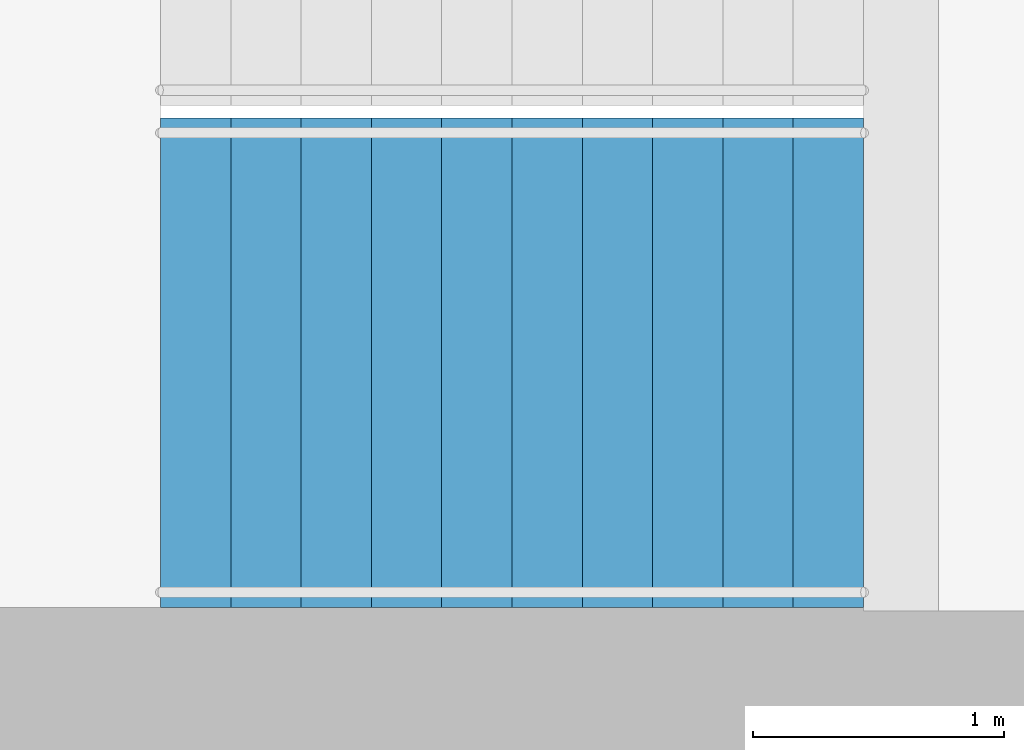
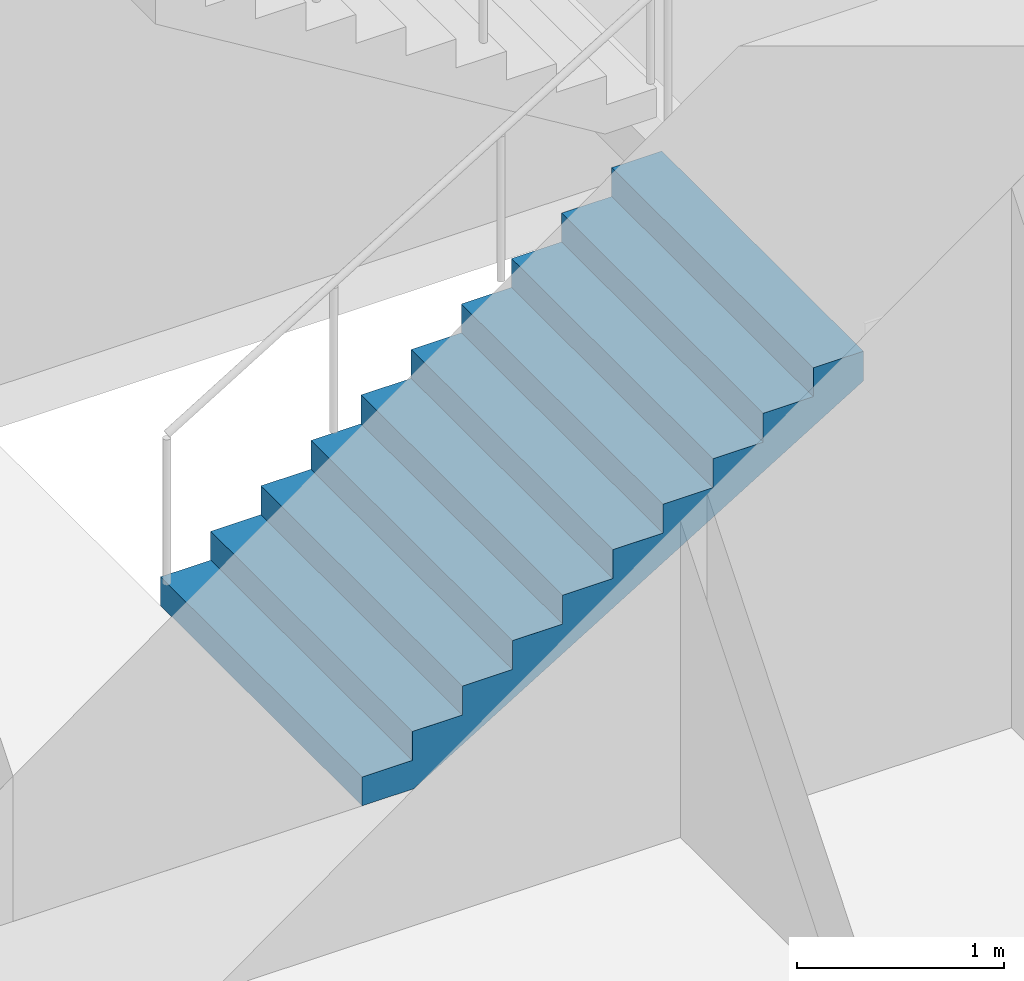
# One storey, part 20 of 24: 1 stair flight, 1 element without a shape of its own.
"""IFC4 building model written with IfcOpenShell, lengths in metres."""

from ifc_helpers import new_model, si_unit, direction, frame, origin, place, context, subcontext, project, spatial, triangles, material, type_object, element, aggregate, save


model = new_model("IFC4")

# Units and contexts
model_context = context("Model", 3, precision=1e-05, world=origin(), true_north=direction((0.0, 1.0)))
body_context = subcontext(model_context, "Body", "Model", "MODEL_VIEW")
ifc_project = project(units=[si_unit("LENGTHUNIT", "METRE"), si_unit("AREAUNIT", "SQUARE_METRE"), si_unit("VOLUMEUNIT", "CUBIC_METRE"), si_unit("PLANEANGLEUNIT", "RADIAN"), si_unit("MASSUNIT", "GRAM", prefix="KILO")], contexts=[model_context])

# Site, building, storey
site_placement = place(None, origin())
site = spatial("IfcSite", under=ifc_project, at=site_placement, CompositionType="ELEMENT")
building_placement = place(site_placement, origin())
building = spatial("IfcBuilding", under=site, at=building_placement, Name="Orbita Commons", CompositionType="ELEMENT")
storey_placement = place(building_placement, frame((0.0, 0.0, 20.199951171875)))
storey = spatial("IfcBuildingStorey", under=building, at=storey_placement, Name="L04", CompositionType="ELEMENT", Elevation=20.199951171875)

# Stair, stair flight
ifc_material_1 = material(Name="Precast concrete C40/50", Category="concrete")
stair_type = type_object("IfcStairType", Name="Exit stair S1 2 flights 11 risers 170", PredefinedType="HALF_TURN_STAIR", material=ifc_material_1)
stair_placement = place(storey_placement, origin())
stair = element("IfcStair", 1, at=stair_placement, inside=storey, type_object=stair_type, Name="Exit stair S1 L04", PredefinedType="HALF_TURN_STAIR")
ifc_material_2 = material(Name="Precast concrete C40/50", Category="concrete")
stair_flight_type = type_object("IfcStairFlightType", Name="Stair flight 11 risers 170 x 280", PredefinedType="STRAIGHT", material=ifc_material_2)
stair_flight_placement = place(storey_placement, frame((20.449951171875, 27.27490234375, 0.0), z_axis=(0.0, 0.0, 1.0), x_axis=(1.0, 0.0, 0.0)))
stair_flight = element("IfcStairFlight", 2, at=stair_flight_placement, type_object=stair_flight_type, Name="S1 flight 1", NumberOfRisers=11, NumberOfTreads=10, PredefinedType="STRAIGHT", RiserHeight=0.170454545, TreadLength=0.28, context=body_context, shape_type="Tessellation", body=[
    triangles([(0.0, 0.974976, 0.0), (0.0, 0.974976, 0.021307), (0.0, 0.81248, 0.021307), (0.0, 0.81248, 0.0), (0.0, 0.649984, 0.021307), (0.0, 0.649984, 0.0), (0.0, 0.487488, 0.021307), (0.0, 0.487488, 0.0), (0.0, 0.324992, 0.021307), (0.0, 0.324992, 0.0), (0.0, 0.162496, 0.021307), (0.0, 0.162496, 0.0), (0.0, 0.0, 0.021307), (0.0, 0.0, 0.0), (0.0, -0.162496, 0.021307), (0.0, -0.162496, 0.0), (0.0, -0.324992, 0.021307), (0.0, -0.324992, 0.0), (0.0, -0.487488, 0.021307), (0.0, -0.487488, 0.0), (0.0, -0.649984, 0.021307), (0.0, -0.649984, 0.0), (0.0, -0.81248, 0.021307), (0.0, -0.81248, 0.0), (0.0, -0.974976, 0.021307), (0.0, -0.974976, 0.0), (0.0, 0.974976, 0.042614), (0.0, 0.81248, 0.042614), (0.0, 0.649984, 0.042614), (0.0, 0.487488, 0.042614), (0.0, 0.324992, 0.042614), (0.0, 0.162496, 0.042614), (0.0, 0.0, 0.042614), (0.0, -0.162496, 0.042614), (0.0, -0.324992, 0.042614), (0.0, -0.487488, 0.042614), (0.0, -0.649984, 0.042614), (0.0, -0.81248, 0.042614), (0.0, -0.974976, 0.042614), (0.0, 0.974976, 0.06392), (0.0, 0.81248, 0.06392), (0.0, 0.649984, 0.06392), (0.0, 0.487488, 0.06392), (0.0, 0.324992, 0.06392), (0.0, 0.162496, 0.06392), (0.0, 0.0, 0.06392), (0.0, -0.162496, 0.06392), (0.0, -0.324992, 0.06392), (0.0, -0.487488, 0.06392), (0.0, -0.649984, 0.06392), (0.0, -0.81248, 0.06392), (0.0, -0.974976, 0.06392), (0.0, 0.974976, 0.085227), (0.0, 0.81248, 0.085227), (0.0, 0.649984, 0.085227), (0.0, 0.487488, 0.085227), (0.0, 0.324992, 0.085227), (0.0, 0.162496, 0.085227), (0.0, 0.0, 0.085227), (0.0, -0.162496, 0.085227), (0.0, -0.324992, 0.085227), (0.0, -0.487488, 0.085227), (0.0, -0.649984, 0.085227), (0.0, -0.81248, 0.085227), (0.0, -0.974976, 0.085227), (0.0, 0.974976, 0.106534), (0.0, 0.81248, 0.106534), (0.0, 0.649984, 0.106534), (0.0, 0.487488, 0.106534), (0.0, 0.324992, 0.106534), (0.0, 0.162496, 0.106534), (0.0, 0.0, 0.106534), (0.0, -0.162496, 0.106534), (0.0, -0.324992, 0.106534), (0.0, -0.487488, 0.106534), (0.0, -0.649984, 0.106534), (0.0, -0.81248, 0.106534), (0.0, -0.974976, 0.106534), (0.0, 0.974976, 0.127841), (0.0, 0.81248, 0.127841), (0.0, 0.649984, 0.127841), (0.0, 0.487488, 0.127841), (0.0, 0.324992, 0.127841), (0.0, 0.162496, 0.127841), (0.0, 0.0, 0.127841), (0.0, -0.162496, 0.127841), (0.0, -0.324992, 0.127841), (0.0, -0.487488, 0.127841), (0.0, -0.649984, 0.127841), (0.0, -0.81248, 0.127841), (0.0, -0.974976, 0.127841), (0.0, 0.974976, 0.149148), (0.0, 0.81248, 0.149148), (0.0, 0.649984, 0.149148), (0.0, 0.487488, 0.149148), (0.0, 0.324992, 0.149148), (0.0, 0.162496, 0.149148), (0.0, 0.0, 0.149148), (0.0, -0.162496, 0.149148), (0.0, -0.324992, 0.149148), (0.0, -0.487488, 0.149148), (0.0, -0.649984, 0.149148), (0.0, -0.81248, 0.149148), (0.0, -0.974976, 0.149148), (0.0, 0.974976, 0.170455), (0.0, 0.81248, 0.170455), (0.0, 0.649984, 0.170455), (0.0, 0.487488, 0.170455), (0.0, 0.324992, 0.170455), (0.0, 0.162496, 0.170455), (0.0, 0.0, 0.170455), (0.0, -0.162496, 0.170455), (0.0, -0.324992, 0.170455), (0.0, -0.487488, 0.170455), (0.0, -0.649984, 0.170455), (0.0, -0.81248, 0.170455), (0.0, -0.974976, 0.170455), (0.28, 0.974976, 0.170455), (0.28, 0.81248, 0.170455), (0.28, 0.649984, 0.170455), (0.28, 0.487488, 0.170455), (0.28, 0.324992, 0.170455), (0.28, 0.162496, 0.170455), (0.28, 0.0, 0.170455), (0.28, -0.162496, 0.170455), (0.28, -0.324992, 0.170455), (0.28, -0.487488, 0.170455), (0.28, -0.649984, 0.170455), (0.28, -0.81248, 0.170455), (0.28, -0.974976, 0.170455), (0.28, 0.974976, 0.340909), (0.28, 0.81248, 0.340909), (0.28, 0.649984, 0.340909), (0.28, 0.487488, 0.340909), (0.28, 0.324992, 0.340909), (0.28, 0.162496, 0.340909), (0.28, 0.0, 0.340909), (0.28, -0.162496, 0.340909), (0.28, -0.324992, 0.340909), (0.28, -0.487488, 0.340909), (0.28, -0.649984, 0.340909), (0.28, -0.81248, 0.340909), (0.28, -0.974976, 0.340909), (0.56, 0.974976, 0.340909), (0.56, 0.81248, 0.340909), (0.56, 0.649984, 0.340909), (0.56, 0.487488, 0.340909), (0.56, 0.324992, 0.340909), (0.56, 0.162496, 0.340909), (0.56, 0.0, 0.340909), (0.56, -0.162496, 0.340909), (0.56, -0.324992, 0.340909), (0.56, -0.487488, 0.340909), (0.56, -0.649984, 0.340909), (0.56, -0.81248, 0.340909), (0.56, -0.974976, 0.340909), (0.56, 0.974976, 0.511364), (0.56, 0.81248, 0.511364), (0.56, 0.649984, 0.511364), (0.56, 0.487488, 0.511364), (0.56, 0.324992, 0.511364), (0.56, 0.162496, 0.511364), (0.56, 0.0, 0.511364), (0.56, -0.162496, 0.511364), (0.56, -0.324992, 0.511364), (0.56, -0.487488, 0.511364), (0.56, -0.649984, 0.511364), (0.56, -0.81248, 0.511364), (0.56, -0.974976, 0.511364), (0.84, 0.974976, 0.511364), (0.84, 0.81248, 0.511364), (0.84, 0.649984, 0.511364), (0.84, 0.487488, 0.511364), (0.84, 0.324992, 0.511364), (0.84, 0.162496, 0.511364), (0.84, 0.0, 0.511364), (0.84, -0.162496, 0.511364), (0.84, -0.324992, 0.511364), (0.84, -0.487488, 0.511364), (0.84, -0.649984, 0.511364), (0.84, -0.81248, 0.511364), (0.84, -0.974976, 0.511364), (0.84, 0.974976, 0.681818), (0.84, 0.81248, 0.681818), (0.84, 0.649984, 0.681818), (0.84, 0.487488, 0.681818), (0.84, 0.324992, 0.681818), (0.84, 0.162496, 0.681818), (0.84, 0.0, 0.681818), (0.84, -0.162496, 0.681818), (0.84, -0.324992, 0.681818), (0.84, -0.487488, 0.681818), (0.84, -0.649984, 0.681818), (0.84, -0.81248, 0.681818), (0.84, -0.974976, 0.681818), (1.12, 0.974976, 0.681818), (1.12, 0.81248, 0.681818), (1.12, 0.649984, 0.681818), (1.12, 0.487488, 0.681818), (1.12, 0.324992, 0.681818), (1.12, 0.162496, 0.681818), (1.12, 0.0, 0.681818), (1.12, -0.162496, 0.681818), (1.12, -0.324992, 0.681818), (1.12, -0.487488, 0.681818), (1.12, -0.649984, 0.681818), (1.12, -0.81248, 0.681818), (1.12, -0.974976, 0.681818), (1.12, 0.974976, 0.852273), (1.12, 0.81248, 0.852273), (1.12, 0.649984, 0.852273), (1.12, 0.487488, 0.852273), (1.12, 0.324992, 0.852273), (1.12, 0.162496, 0.852273), (1.12, 0.0, 0.852273), (1.12, -0.162496, 0.852273), (1.12, -0.324992, 0.852273), (1.12, -0.487488, 0.852273), (1.12, -0.649984, 0.852273), (1.12, -0.81248, 0.852273), (1.12, -0.974976, 0.852273), (1.4, 0.974976, 0.852273), (1.4, 0.81248, 0.852273), (1.4, 0.649984, 0.852273), (1.4, 0.487488, 0.852273), (1.4, 0.324992, 0.852273), (1.4, 0.162496, 0.852273), (1.4, 0.0, 0.852273), (1.4, -0.162496, 0.852273), (1.4, -0.324992, 0.852273), (1.4, -0.487488, 0.852273), (1.4, -0.649984, 0.852273), (1.4, -0.81248, 0.852273), (1.4, -0.974976, 0.852273), (1.4, 0.974976, 1.022727), (1.4, 0.81248, 1.022727), (1.4, 0.649984, 1.022727), (1.4, 0.487488, 1.022727), (1.4, 0.324992, 1.022727), (1.4, 0.162496, 1.022727), (1.4, 0.0, 1.022727), (1.4, -0.162496, 1.022727), (1.4, -0.324992, 1.022727), (1.4, -0.487488, 1.022727), (1.4, -0.649984, 1.022727), (1.4, -0.81248, 1.022727), (1.4, -0.974976, 1.022727), (1.68, 0.974976, 1.022727), (1.68, 0.81248, 1.022727), (1.68, 0.649984, 1.022727), (1.68, 0.487488, 1.022727), (1.68, 0.324992, 1.022727), (1.68, 0.162496, 1.022727), (1.68, 0.0, 1.022727), (1.68, -0.162496, 1.022727), (1.68, -0.324992, 1.022727), (1.68, -0.487488, 1.022727), (1.68, -0.649984, 1.022727), (1.68, -0.81248, 1.022727), (1.68, -0.974976, 1.022727), (1.68, 0.974976, 1.193182), (1.68, 0.81248, 1.193182), (1.68, 0.649984, 1.193182), (1.68, 0.487488, 1.193182), (1.68, 0.324992, 1.193182), (1.68, 0.162496, 1.193182), (1.68, 0.0, 1.193182), (1.68, -0.162496, 1.193182), (1.68, -0.324992, 1.193182), (1.68, -0.487488, 1.193182), (1.68, -0.649984, 1.193182), (1.68, -0.81248, 1.193182), (1.68, -0.974976, 1.193182), (1.96, 0.974976, 1.193182), (1.96, 0.81248, 1.193182), (1.96, 0.649984, 1.193182), (1.96, 0.487488, 1.193182), (1.96, 0.324992, 1.193182), (1.96, 0.162496, 1.193182), (1.96, 0.0, 1.193182), (1.96, -0.162496, 1.193182), (1.96, -0.324992, 1.193182), (1.96, -0.487488, 1.193182), (1.96, -0.649984, 1.193182), (1.96, -0.81248, 1.193182), (1.96, -0.974976, 1.193182), (1.96, 0.974976, 1.363636), (1.96, 0.81248, 1.363636), (1.96, 0.649984, 1.363636), (1.96, 0.487488, 1.363636), (1.96, 0.324992, 1.363636), (1.96, 0.162496, 1.363636), (1.96, 0.0, 1.363636), (1.96, -0.162496, 1.363636), (1.96, -0.324992, 1.363636), (1.96, -0.487488, 1.363636), (1.96, -0.649984, 1.363636), (1.96, -0.81248, 1.363636), (1.96, -0.974976, 1.363636), (2.24, 0.974976, 1.363636), (2.24, 0.81248, 1.363636), (2.24, 0.649984, 1.363636), (2.24, 0.487488, 1.363636), (2.24, 0.324992, 1.363636), (2.24, 0.162496, 1.363636), (2.24, 0.0, 1.363636), (2.24, -0.162496, 1.363636), (2.24, -0.324992, 1.363636), (2.24, -0.487488, 1.363636), (2.24, -0.649984, 1.363636), (2.24, -0.81248, 1.363636), (2.24, -0.974976, 1.363636), (2.24, 0.974976, 1.534091), (2.24, 0.81248, 1.534091), (2.24, 0.649984, 1.534091), (2.24, 0.487488, 1.534091), (2.24, 0.324992, 1.534091), (2.24, 0.162496, 1.534091), (2.24, 0.0, 1.534091), (2.24, -0.162496, 1.534091), (2.24, -0.324992, 1.534091), (2.24, -0.487488, 1.534091), (2.24, -0.649984, 1.534091), (2.24, -0.81248, 1.534091), (2.24, -0.974976, 1.534091), (2.52, 0.974976, 1.534091), (2.52, 0.81248, 1.534091), (2.52, 0.649984, 1.534091), (2.52, 0.487488, 1.534091), (2.52, 0.324992, 1.534091), (2.52, 0.162496, 1.534091), (2.52, 0.0, 1.534091), (2.52, -0.162496, 1.534091), (2.52, -0.324992, 1.534091), (2.52, -0.487488, 1.534091), (2.52, -0.649984, 1.534091), (2.52, -0.81248, 1.534091), (2.52, -0.974976, 1.534091), (2.52, 0.974976, 1.704545), (2.52, 0.81248, 1.704545), (2.52, 0.649984, 1.704545), (2.52, 0.487488, 1.704545), (2.52, 0.324992, 1.704545), (2.52, 0.162496, 1.704545), (2.52, 0.0, 1.704545), (2.52, -0.162496, 1.704545), (2.52, -0.324992, 1.704545), (2.52, -0.487488, 1.704545), (2.52, -0.649984, 1.704545), (2.52, -0.81248, 1.704545), (2.52, -0.974976, 1.704545), (2.8, 0.974976, 1.704545), (2.8, 0.81248, 1.704545), (2.8, 0.649984, 1.704545), (2.8, 0.487488, 1.704545), (2.8, 0.324992, 1.704545), (2.8, 0.162496, 1.704545), (2.8, 0.0, 1.704545), (2.8, -0.162496, 1.704545), (2.8, -0.324992, 1.704545), (2.8, -0.487488, 1.704545), (2.8, -0.649984, 1.704545), (2.8, -0.81248, 1.704545), (2.8, -0.974976, 1.704545), (2.8, 0.974976, 1.682609), (2.8, 0.81248, 1.682609), (2.8, 0.649984, 1.682609), (2.8, 0.487488, 1.682609), (2.8, 0.324992, 1.682609), (2.8, 0.162496, 1.682609), (2.8, 0.0, 1.682609), (2.8, -0.162496, 1.682609), (2.8, -0.324992, 1.682609), (2.8, -0.487488, 1.682609), (2.8, -0.649984, 1.682609), (2.8, -0.81248, 1.682609), (2.8, -0.974976, 1.682609), (2.8, 0.974976, 1.660672), (2.8, 0.81248, 1.660672), (2.8, 0.649984, 1.660672), (2.8, 0.487488, 1.660672), (2.8, 0.324992, 1.660672), (2.8, 0.162496, 1.660672), (2.8, 0.0, 1.660672), (2.8, -0.162496, 1.660672), (2.8, -0.324992, 1.660672), (2.8, -0.487488, 1.660672), (2.8, -0.649984, 1.660672), (2.8, -0.81248, 1.660672), (2.8, -0.974976, 1.660672), (2.8, 0.974976, 1.638735), (2.8, 0.81248, 1.638735), (2.8, 0.649984, 1.638735), (2.8, 0.487488, 1.638735), (2.8, 0.324992, 1.638735), (2.8, 0.162496, 1.638735), (2.8, 0.0, 1.638735), (2.8, -0.162496, 1.638735), (2.8, -0.324992, 1.638735), (2.8, -0.487488, 1.638735), (2.8, -0.649984, 1.638735), (2.8, -0.81248, 1.638735), (2.8, -0.974976, 1.638735), (2.8, 0.974976, 1.616798), (2.8, 0.81248, 1.616798), (2.8, 0.649984, 1.616798), (2.8, 0.487488, 1.616798), (2.8, 0.324992, 1.616798), (2.8, 0.162496, 1.616798), (2.8, 0.0, 1.616798), (2.8, -0.162496, 1.616798), (2.8, -0.324992, 1.616798), (2.8, -0.487488, 1.616798), (2.8, -0.649984, 1.616798), (2.8, -0.81248, 1.616798), (2.8, -0.974976, 1.616798), (2.8, 0.974976, 1.594861), (2.8, 0.81248, 1.594861), (2.8, 0.649984, 1.594861), (2.8, 0.487488, 1.594861), (2.8, 0.324992, 1.594861), (2.8, 0.162496, 1.594861), (2.8, 0.0, 1.594861), (2.8, -0.162496, 1.594861), (2.8, -0.324992, 1.594861), (2.8, -0.487488, 1.594861), (2.8, -0.649984, 1.594861), (2.8, -0.81248, 1.594861), (2.8, -0.974976, 1.594861), (2.8, 0.974976, 1.572925), (2.8, 0.81248, 1.572925), (2.8, 0.649984, 1.572925), (2.8, 0.487488, 1.572925), (2.8, 0.324992, 1.572925), (2.8, 0.162496, 1.572925), (2.8, 0.0, 1.572925), (2.8, -0.162496, 1.572925), (2.8, -0.324992, 1.572925), (2.8, -0.487488, 1.572925), (2.8, -0.649984, 1.572925), (2.8, -0.81248, 1.572925), (2.8, -0.974976, 1.572925), (2.8, 0.974976, 1.550988), (2.8, 0.81248, 1.550988), (2.8, 0.649984, 1.550988), (2.8, 0.487488, 1.550988), (2.8, 0.324992, 1.550988), (2.8, 0.162496, 1.550988), (2.8, 0.0, 1.550988), (2.8, -0.162496, 1.550988), (2.8, -0.324992, 1.550988), (2.8, -0.487488, 1.550988), (2.8, -0.649984, 1.550988), (2.8, -0.81248, 1.550988), (2.8, -0.974976, 1.550988), (2.8, 0.974976, 1.529051), (2.8, 0.81248, 1.529051), (2.8, 0.649984, 1.529051), (2.8, 0.487488, 1.529051), (2.8, 0.324992, 1.529051), (2.8, 0.162496, 1.529051), (2.8, 0.0, 1.529051), (2.8, -0.162496, 1.529051), (2.8, -0.324992, 1.529051), (2.8, -0.487488, 1.529051), (2.8, -0.649984, 1.529051), (2.8, -0.81248, 1.529051), (2.8, -0.974976, 1.529051), (0.288279, 0.974976, 0.0), (0.288279, 0.81248, 0.0), (0.288279, 0.649984, 0.0), (0.288279, 0.487488, 0.0), (0.288279, 0.324992, 0.0), (0.288279, 0.162496, 0.0), (0.288279, 0.0, 0.0), (0.288279, -0.162496, 0.0), (0.288279, -0.324992, 0.0), (0.288279, -0.487488, 0.0), (0.288279, -0.649984, 0.0), (0.288279, -0.81248, 0.0), (0.288279, -0.974976, 0.0)], [[3, 2, 1], [4, 3, 1], [5, 3, 4], [6, 5, 4], [7, 5, 6], [8, 7, 6], [9, 7, 8], [10, 9, 8], [11, 9, 10], [12, 11, 10], [13, 11, 12], [14, 13, 12], [15, 13, 14], [16, 15, 14], [17, 15, 16], [18, 17, 16], [19, 17, 18], [20, 19, 18], [21, 19, 20], [22, 21, 20], [23, 21, 22], [24, 23, 22], [25, 23, 24], [26, 25, 24], [28, 27, 2], [3, 28, 2], [29, 28, 3], [5, 29, 3], [30, 29, 5], [7, 30, 5], [31, 30, 7], [9, 31, 7], [32, 31, 9], [11, 32, 9], [33, 32, 11], [13, 33, 11], [34, 33, 13], [15, 34, 13], [35, 34, 15], [17, 35, 15], [36, 35, 17], [19, 36, 17], [37, 36, 19], [21, 37, 19], [38, 37, 21], [23, 38, 21], [39, 38, 23], [25, 39, 23], [41, 40, 27], [28, 41, 27], [42, 41, 28], [29, 42, 28], [43, 42, 29], [30, 43, 29], [44, 43, 30], [31, 44, 30], [45, 44, 31], [32, 45, 31], [46, 45, 32], [33, 46, 32], [47, 46, 33], [34, 47, 33], [48, 47, 34], [35, 48, 34], [49, 48, 35], [36, 49, 35], [50, 49, 36], [37, 50, 36], [51, 50, 37], [38, 51, 37], [52, 51, 38], [39, 52, 38], [54, 53, 40], [41, 54, 40], [55, 54, 41], [42, 55, 41], [56, 55, 42], [43, 56, 42], [57, 56, 43], [44, 57, 43], [58, 57, 44], [45, 58, 44], [59, 58, 45], [46, 59, 45], [60, 59, 46], [47, 60, 46], [61, 60, 47], [48, 61, 47], [62, 61, 48], [49, 62, 48], [63, 62, 49], [50, 63, 49], [64, 63, 50], [51, 64, 50], [65, 64, 51], [52, 65, 51], [67, 66, 53], [54, 67, 53], [68, 67, 54], [55, 68, 54], [69, 68, 55], [56, 69, 55], [70, 69, 56], [57, 70, 56], [71, 70, 57], [58, 71, 57], [72, 71, 58], [59, 72, 58], [73, 72, 59], [60, 73, 59], [74, 73, 60], [61, 74, 60], [75, 74, 61], [62, 75, 61], [76, 75, 62], [63, 76, 62], [77, 76, 63], [64, 77, 63], [78, 77, 64], [65, 78, 64], [80, 79, 66], [67, 80, 66], [81, 80, 67], [68, 81, 67], [82, 81, 68], [69, 82, 68], [83, 82, 69], [70, 83, 69], [84, 83, 70], [71, 84, 70], [85, 84, 71], [72, 85, 71], [86, 85, 72], [73, 86, 72], [87, 86, 73], [74, 87, 73], [88, 87, 74], [75, 88, 74], [89, 88, 75], [76, 89, 75], [90, 89, 76], [77, 90, 76], [91, 90, 77], [78, 91, 77], [93, 92, 79], [80, 93, 79], [94, 93, 80], [81, 94, 80], [95, 94, 81], [82, 95, 81], [96, 95, 82], [83, 96, 82], [97, 96, 83], [84, 97, 83], [98, 97, 84], [85, 98, 84], [99, 98, 85], [86, 99, 85], [100, 99, 86], [87, 100, 86], [101, 100, 87], [88, 101, 87], [102, 101, 88], [89, 102, 88], [103, 102, 89], [90, 103, 89], [104, 103, 90], [91, 104, 90], [106, 105, 92], [93, 106, 92], [107, 106, 93], [94, 107, 93], [108, 107, 94], [95, 108, 94], [109, 108, 95], [96, 109, 95], [110, 109, 96], [97, 110, 96], [111, 110, 97], [98, 111, 97], [112, 111, 98], [99, 112, 98], [113, 112, 99], [100, 113, 99], [114, 113, 100], [101, 114, 100], [115, 114, 101], [102, 115, 101], [116, 115, 102], [103, 116, 102], [117, 116, 103], [104, 117, 103], [119, 118, 105], [106, 119, 105], [120, 119, 106], [107, 120, 106], [121, 120, 107], [108, 121, 107], [122, 121, 108], [109, 122, 108], [123, 122, 109], [110, 123, 109], [124, 123, 110], [111, 124, 110], [125, 124, 111], [112, 125, 111], [126, 125, 112], [113, 126, 112], [127, 126, 113], [114, 127, 113], [128, 127, 114], [115, 128, 114], [129, 128, 115], [116, 129, 115], [130, 129, 116], [117, 130, 116], [132, 131, 118], [119, 132, 118], [133, 132, 119], [120, 133, 119], [134, 133, 120], [121, 134, 120], [135, 134, 121], [122, 135, 121], [136, 135, 122], [123, 136, 122], [137, 136, 123], [124, 137, 123], [138, 137, 124], [125, 138, 124], [139, 138, 125], [126, 139, 125], [140, 139, 126], [127, 140, 126], [141, 140, 127], [128, 141, 127], [142, 141, 128], [129, 142, 128], [143, 142, 129], [130, 143, 129], [145, 144, 131], [132, 145, 131], [146, 145, 132], [133, 146, 132], [147, 146, 133], [134, 147, 133], [148, 147, 134], [135, 148, 134], [149, 148, 135], [136, 149, 135], [150, 149, 136], [137, 150, 136], [151, 150, 137], [138, 151, 137], [152, 151, 138], [139, 152, 138], [153, 152, 139], [140, 153, 139], [154, 153, 140], [141, 154, 140], [155, 154, 141], [142, 155, 141], [156, 155, 142], [143, 156, 142], [158, 157, 144], [145, 158, 144], [159, 158, 145], [146, 159, 145], [160, 159, 146], [147, 160, 146], [161, 160, 147], [148, 161, 147], [162, 161, 148], [149, 162, 148], [163, 162, 149], [150, 163, 149], [164, 163, 150], [151, 164, 150], [165, 164, 151], [152, 165, 151], [166, 165, 152], [153, 166, 152], [167, 166, 153], [154, 167, 153], [168, 167, 154], [155, 168, 154], [169, 168, 155], [156, 169, 155], [171, 170, 157], [158, 171, 157], [172, 171, 158], [159, 172, 158], [173, 172, 159], [160, 173, 159], [174, 173, 160], [161, 174, 160], [175, 174, 161], [162, 175, 161], [176, 175, 162], [163, 176, 162], [177, 176, 163], [164, 177, 163], [178, 177, 164], [165, 178, 164], [179, 178, 165], [166, 179, 165], [180, 179, 166], [167, 180, 166], [181, 180, 167], [168, 181, 167], [182, 181, 168], [169, 182, 168], [184, 183, 170], [171, 184, 170], [185, 184, 171], [172, 185, 171], [186, 185, 172], [173, 186, 172], [187, 186, 173], [174, 187, 173], [188, 187, 174], [175, 188, 174], [189, 188, 175], [176, 189, 175], [190, 189, 176], [177, 190, 176], [191, 190, 177], [178, 191, 177], [192, 191, 178], [179, 192, 178], [193, 192, 179], [180, 193, 179], [194, 193, 180], [181, 194, 180], [195, 194, 181], [182, 195, 181], [197, 196, 183], [184, 197, 183], [198, 197, 184], [185, 198, 184], [199, 198, 185], [186, 199, 185], [200, 199, 186], [187, 200, 186], [201, 200, 187], [188, 201, 187], [202, 201, 188], [189, 202, 188], [203, 202, 189], [190, 203, 189], [204, 203, 190], [191, 204, 190], [205, 204, 191], [192, 205, 191], [206, 205, 192], [193, 206, 192], [207, 206, 193], [194, 207, 193], [208, 207, 194], [195, 208, 194], [210, 209, 196], [197, 210, 196], [211, 210, 197], [198, 211, 197], [212, 211, 198], [199, 212, 198], [213, 212, 199], [200, 213, 199], [214, 213, 200], [201, 214, 200], [215, 214, 201], [202, 215, 201], [216, 215, 202], [203, 216, 202], [217, 216, 203], [204, 217, 203], [218, 217, 204], [205, 218, 204], [219, 218, 205], [206, 219, 205], [220, 219, 206], [207, 220, 206], [221, 220, 207], [208, 221, 207], [223, 222, 209], [210, 223, 209], [224, 223, 210], [211, 224, 210], [225, 224, 211], [212, 225, 211], [226, 225, 212], [213, 226, 212], [227, 226, 213], [214, 227, 213], [228, 227, 214], [215, 228, 214], [229, 228, 215], [216, 229, 215], [230, 229, 216], [217, 230, 216], [231, 230, 217], [218, 231, 217], [232, 231, 218], [219, 232, 218], [233, 232, 219], [220, 233, 219], [234, 233, 220], [221, 234, 220], [236, 235, 222], [223, 236, 222], [237, 236, 223], [224, 237, 223], [238, 237, 224], [225, 238, 224], [239, 238, 225], [226, 239, 225], [240, 239, 226], [227, 240, 226], [241, 240, 227], [228, 241, 227], [242, 241, 228], [229, 242, 228], [243, 242, 229], [230, 243, 229], [244, 243, 230], [231, 244, 230], [245, 244, 231], [232, 245, 231], [246, 245, 232], [233, 246, 232], [247, 246, 233], [234, 247, 233], [249, 248, 235], [236, 249, 235], [250, 249, 236], [237, 250, 236], [251, 250, 237], [238, 251, 237], [252, 251, 238], [239, 252, 238], [253, 252, 239], [240, 253, 239], [254, 253, 240], [241, 254, 240], [255, 254, 241], [242, 255, 241], [256, 255, 242], [243, 256, 242], [257, 256, 243], [244, 257, 243], [258, 257, 244], [245, 258, 244], [259, 258, 245], [246, 259, 245], [260, 259, 246], [247, 260, 246], [262, 261, 248], [249, 262, 248], [263, 262, 249], [250, 263, 249], [264, 263, 250], [251, 264, 250], [265, 264, 251], [252, 265, 251], [266, 265, 252], [253, 266, 252], [267, 266, 253], [254, 267, 253], [268, 267, 254], [255, 268, 254], [269, 268, 255], [256, 269, 255], [270, 269, 256], [257, 270, 256], [271, 270, 257], [258, 271, 257], [272, 271, 258], [259, 272, 258], [273, 272, 259], [260, 273, 259], [275, 274, 261], [262, 275, 261], [276, 275, 262], [263, 276, 262], [277, 276, 263], [264, 277, 263], [278, 277, 264], [265, 278, 264], [279, 278, 265], [266, 279, 265], [280, 279, 266], [267, 280, 266], [281, 280, 267], [268, 281, 267], [282, 281, 268], [269, 282, 268], [283, 282, 269], [270, 283, 269], [284, 283, 270], [271, 284, 270], [285, 284, 271], [272, 285, 271], [286, 285, 272], [273, 286, 272], [288, 287, 274], [275, 288, 274], [289, 288, 275], [276, 289, 275], [290, 289, 276], [277, 290, 276], [291, 290, 277], [278, 291, 277], [292, 291, 278], [279, 292, 278], [293, 292, 279], [280, 293, 279], [294, 293, 280], [281, 294, 280], [295, 294, 281], [282, 295, 281], [296, 295, 282], [283, 296, 282], [297, 296, 283], [284, 297, 283], [298, 297, 284], [285, 298, 284], [299, 298, 285], [286, 299, 285], [301, 300, 287], [288, 301, 287], [302, 301, 288], [289, 302, 288], [303, 302, 289], [290, 303, 289], [304, 303, 290], [291, 304, 290], [305, 304, 291], [292, 305, 291], [306, 305, 292], [293, 306, 292], [307, 306, 293], [294, 307, 293], [308, 307, 294], [295, 308, 294], [309, 308, 295], [296, 309, 295], [310, 309, 296], [297, 310, 296], [311, 310, 297], [298, 311, 297], [312, 311, 298], [299, 312, 298], [314, 313, 300], [301, 314, 300], [315, 314, 301], [302, 315, 301], [316, 315, 302], [303, 316, 302], [317, 316, 303], [304, 317, 303], [318, 317, 304], [305, 318, 304], [319, 318, 305], [306, 319, 305], [320, 319, 306], [307, 320, 306], [321, 320, 307], [308, 321, 307], [322, 321, 308], [309, 322, 308], [323, 322, 309], [310, 323, 309], [324, 323, 310], [311, 324, 310], [325, 324, 311], [312, 325, 311], [327, 326, 313], [314, 327, 313], [328, 327, 314], [315, 328, 314], [329, 328, 315], [316, 329, 315], [330, 329, 316], [317, 330, 316], [331, 330, 317], [318, 331, 317], [332, 331, 318], [319, 332, 318], [333, 332, 319], [320, 333, 319], [334, 333, 320], [321, 334, 320], [335, 334, 321], [322, 335, 321], [336, 335, 322], [323, 336, 322], [337, 336, 323], [324, 337, 323], [338, 337, 324], [325, 338, 324], [340, 339, 326], [327, 340, 326], [341, 340, 327], [328, 341, 327], [342, 341, 328], [329, 342, 328], [343, 342, 329], [330, 343, 329], [344, 343, 330], [331, 344, 330], [345, 344, 331], [332, 345, 331], [346, 345, 332], [333, 346, 332], [347, 346, 333], [334, 347, 333], [348, 347, 334], [335, 348, 334], [349, 348, 335], [336, 349, 335], [350, 349, 336], [337, 350, 336], [351, 350, 337], [338, 351, 337], [353, 352, 339], [340, 353, 339], [354, 353, 340], [341, 354, 340], [355, 354, 341], [342, 355, 341], [356, 355, 342], [343, 356, 342], [357, 356, 343], [344, 357, 343], [358, 357, 344], [345, 358, 344], [359, 358, 345], [346, 359, 345], [360, 359, 346], [347, 360, 346], [361, 360, 347], [348, 361, 347], [362, 361, 348], [349, 362, 348], [363, 362, 349], [350, 363, 349], [364, 363, 350], [351, 364, 350], [366, 365, 352], [353, 366, 352], [367, 366, 353], [354, 367, 353], [368, 367, 354], [355, 368, 354], [369, 368, 355], [356, 369, 355], [370, 369, 356], [357, 370, 356], [371, 370, 357], [358, 371, 357], [372, 371, 358], [359, 372, 358], [373, 372, 359], [360, 373, 359], [374, 373, 360], [361, 374, 360], [375, 374, 361], [362, 375, 361], [376, 375, 362], [363, 376, 362], [377, 376, 363], [364, 377, 363], [379, 378, 365], [366, 379, 365], [380, 379, 366], [367, 380, 366], [381, 380, 367], [368, 381, 367], [382, 381, 368], [369, 382, 368], [383, 382, 369], [370, 383, 369], [384, 383, 370], [371, 384, 370], [385, 384, 371], [372, 385, 371], [386, 385, 372], [373, 386, 372], [387, 386, 373], [374, 387, 373], [388, 387, 374], [375, 388, 374], [389, 388, 375], [376, 389, 375], [390, 389, 376], [377, 390, 376], [392, 391, 378], [379, 392, 378], [393, 392, 379], [380, 393, 379], [394, 393, 380], [381, 394, 380], [395, 394, 381], [382, 395, 381], [396, 395, 382], [383, 396, 382], [397, 396, 383], [384, 397, 383], [398, 397, 384], [385, 398, 384], [399, 398, 385], [386, 399, 385], [400, 399, 386], [387, 400, 386], [401, 400, 387], [388, 401, 387], [402, 401, 388], [389, 402, 388], [403, 402, 389], [390, 403, 389], [405, 404, 391], [392, 405, 391], [406, 405, 392], [393, 406, 392], [407, 406, 393], [394, 407, 393], [408, 407, 394], [395, 408, 394], [409, 408, 395], [396, 409, 395], [410, 409, 396], [397, 410, 396], [411, 410, 397], [398, 411, 397], [412, 411, 398], [399, 412, 398], [413, 412, 399], [400, 413, 399], [414, 413, 400], [401, 414, 400], [415, 414, 401], [402, 415, 401], [416, 415, 402], [403, 416, 402], [418, 417, 404], [405, 418, 404], [419, 418, 405], [406, 419, 405], [420, 419, 406], [407, 420, 406], [421, 420, 407], [408, 421, 407], [422, 421, 408], [409, 422, 408], [423, 422, 409], [410, 423, 409], [424, 423, 410], [411, 424, 410], [425, 424, 411], [412, 425, 411], [426, 425, 412], [413, 426, 412], [427, 426, 413], [414, 427, 413], [428, 427, 414], [415, 428, 414], [429, 428, 415], [416, 429, 415], [431, 430, 417], [418, 431, 417], [432, 431, 418], [419, 432, 418], [433, 432, 419], [420, 433, 419], [434, 433, 420], [421, 434, 420], [435, 434, 421], [422, 435, 421], [436, 435, 422], [423, 436, 422], [437, 436, 423], [424, 437, 423], [438, 437, 424], [425, 438, 424], [439, 438, 425], [426, 439, 425], [440, 439, 426], [427, 440, 426], [441, 440, 427], [428, 441, 427], [442, 441, 428], [429, 442, 428], [444, 443, 430], [431, 444, 430], [445, 444, 431], [432, 445, 431], [446, 445, 432], [433, 446, 432], [447, 446, 433], [434, 447, 433], [448, 447, 434], [435, 448, 434], [449, 448, 435], [436, 449, 435], [450, 449, 436], [437, 450, 436], [451, 450, 437], [438, 451, 437], [452, 451, 438], [439, 452, 438], [453, 452, 439], [440, 453, 439], [454, 453, 440], [441, 454, 440], [455, 454, 441], [442, 455, 441], [457, 456, 443], [444, 457, 443], [458, 457, 444], [445, 458, 444], [459, 458, 445], [446, 459, 445], [460, 459, 446], [447, 460, 446], [461, 460, 447], [448, 461, 447], [462, 461, 448], [449, 462, 448], [463, 462, 449], [450, 463, 449], [464, 463, 450], [451, 464, 450], [465, 464, 451], [452, 465, 451], [466, 465, 452], [453, 466, 452], [467, 466, 453], [454, 467, 453], [468, 467, 454], [455, 468, 454], [470, 469, 456], [457, 470, 456], [471, 470, 457], [458, 471, 457], [472, 471, 458], [459, 472, 458], [473, 472, 459], [460, 473, 459], [474, 473, 460], [461, 474, 460], [475, 474, 461], [462, 475, 461], [476, 475, 462], [463, 476, 462], [477, 476, 463], [464, 477, 463], [478, 477, 464], [465, 478, 464], [479, 478, 465], [466, 479, 465], [480, 479, 466], [467, 480, 466], [481, 480, 467], [468, 481, 467], [4, 1, 469], [470, 4, 469], [6, 4, 470], [471, 6, 470], [8, 6, 471], [472, 8, 471], [10, 8, 472], [473, 10, 472], [12, 10, 473], [474, 12, 473], [14, 12, 474], [475, 14, 474], [16, 14, 475], [476, 16, 475], [18, 16, 476], [477, 18, 476], [20, 18, 477], [478, 20, 477], [22, 20, 478], [479, 22, 478], [24, 22, 479], [480, 24, 479], [26, 24, 480], [481, 26, 480], [456, 469, 1], [26, 481, 468], [443, 456, 1], [26, 468, 455], [430, 443, 1], [26, 455, 442], [417, 430, 1], [26, 442, 429], [404, 417, 1], [26, 429, 416], [391, 404, 1], [26, 416, 403], [378, 391, 1], [26, 403, 390], [365, 378, 1], [26, 390, 377], [339, 352, 365], [377, 364, 351], [326, 339, 365], [377, 351, 338], [300, 313, 326], [338, 325, 312], [300, 326, 365], [377, 338, 312], [274, 287, 300], [312, 299, 286], [274, 300, 365], [377, 312, 286], [248, 261, 274], [286, 273, 260], [248, 274, 365], [377, 286, 260], [222, 235, 248], [260, 247, 234], [222, 248, 365], [377, 260, 234], [196, 209, 222], [234, 221, 208], [196, 222, 365], [377, 234, 208], [170, 183, 196], [208, 195, 182], [170, 196, 365], [377, 208, 182], [144, 157, 170], [182, 169, 156], [144, 170, 365], [377, 182, 156], [118, 131, 144], [156, 143, 130], [118, 144, 365], [377, 156, 130], [118, 365, 1], [26, 377, 130], [92, 105, 118], [130, 117, 104], [79, 92, 118], [130, 104, 91], [66, 79, 118], [130, 91, 78], [53, 66, 118], [130, 78, 65], [40, 53, 118], [130, 65, 52], [27, 40, 118], [130, 52, 39], [2, 27, 118], [130, 39, 25], [1, 2, 118], [130, 25, 26]], closed=True),
])
aggregate(stair, [stair_flight])

save(model, "model.ifc")
